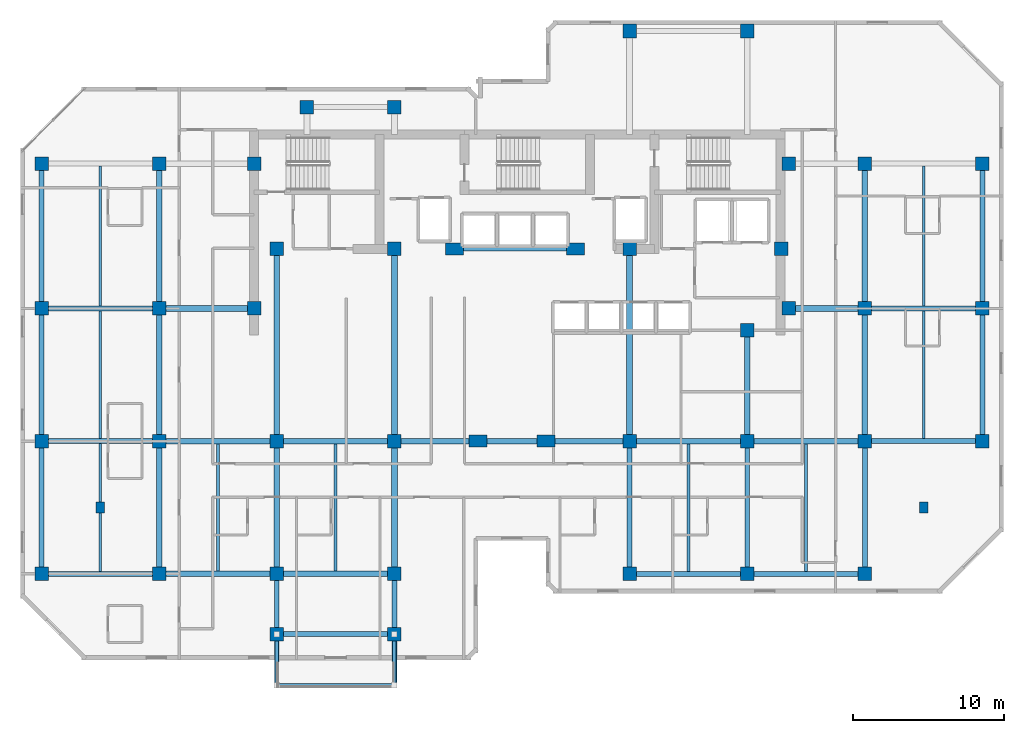
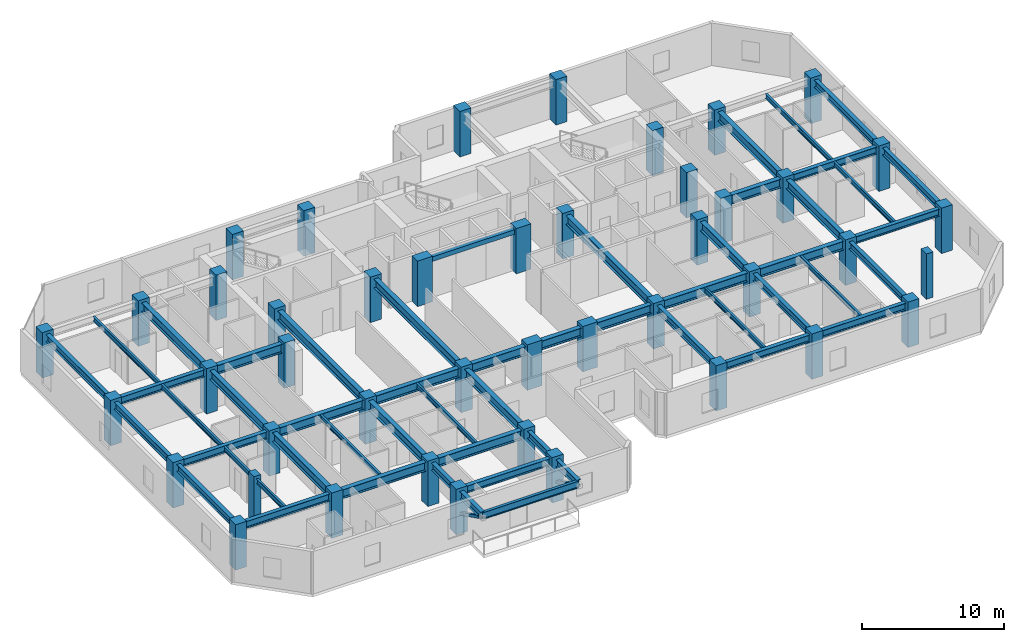
# One storey, part 1 of 11: 53 beams, 44 columns, 2 members.
"""IFC4 building model written with IfcOpenShell, lengths in metres."""

from ifc_helpers import new_model, si_unit, direction, frame, origin, origin_2d, place, context, subcontext, project, spatial, rectangle, hollow_rectangle, i_section, extrude, material, material_profile, profile_set, type_object, element, save


model = new_model("IFC4")

# Units and contexts
model_context = context("Model", 3, precision=1e-05, world=origin(), true_north=direction((0.0, 1.0)))
body_context = subcontext(model_context, "Body", "Model", "MODEL_VIEW")
ifc_project = project(units=[si_unit("LENGTHUNIT", "METRE"), si_unit("AREAUNIT", "SQUARE_METRE"), si_unit("VOLUMEUNIT", "CUBIC_METRE"), si_unit("PLANEANGLEUNIT", "RADIAN"), si_unit("MASSUNIT", "GRAM", prefix="KILO")], contexts=[model_context])

# Site, building, storey
site_placement = place(None, origin())
site = spatial("IfcSite", under=ifc_project, at=site_placement, CompositionType="ELEMENT")
building_placement = place(site_placement, origin())
building = spatial("IfcBuilding", under=site, at=building_placement, Name="Kestravale Grand Hotel", CompositionType="ELEMENT")
storey_placement = place(building_placement, frame((0.0, 0.0, 200.699951171875)))
storey = spatial("IfcBuildingStorey", under=building, at=storey_placement, Name="L50", CompositionType="ELEMENT", Elevation=200.699951171875)

# Columns
ifc_material_1 = material(Name="Concrete f'c 60 MPa", Category="concrete")
ifc_material_profile_1 = material_profile(ifc_material_1, rectangle(XDim=1.199951171875, YDim=0.800048828125, at=origin_2d()))
ifc_profile_set_1 = profile_set([ifc_material_profile_1], Name="Concrete f'c 60 MPa")
column_type_1 = type_object("IfcColumnType", Name="C-Z3-1200X800", PredefinedType="COLUMN", material=ifc_profile_set_1)
for number, where, z_axis, x_axis, name in (
    (1, (36.75, 20.0, 0.0), (0.0, 0.0, 1.0), (1.0, 0.0, 0.0), "L50 column 6-D"),
    (2, (41.25, 20.0, 0.0), (0.0, 0.0, 1.0), (1.0, 0.0, 0.0), "L50 column 7-D"),
    (3, (35.199951171875, 32.75, 0.0), (0.0, 0.0, 1.0), (1.0, 0.0, 0.0), "L50 column 6C-CS"),
    (4, (43.199951171875, 32.75, 0.0), (0.0, 0.0, 1.0), (1.0, 0.0, 0.0), "L50 column 7C-CS"),
):
    element("IfcColumn", number, at=place(storey_placement, frame(where, z_axis=z_axis, x_axis=x_axis)), inside=storey, type_object=column_type_1, Name=name, PredefinedType="COLUMN", context=body_context, shape_type="SweptSolid", body=[
        extrude(rectangle(XDim=1.199951171875, YDim=0.800048828125, at=origin_2d()), origin(), (0.0, 0.0, 1.0), 3.900146484375),
    ])
ifc_material_2 = material(Name="Precast concrete f'c 45 MPa", Category="concrete")
ifc_material_profile_2 = material_profile(ifc_material_2, rectangle(XDim=0.550048828125, YDim=0.75, at=origin_2d()))
ifc_profile_set_2 = profile_set([ifc_material_profile_2], Name="Precast concrete f'c 45 MPa")
column_type_2 = type_object("IfcColumnType", Name="C-Z3-PIL750", PredefinedType="PILASTER", material=ifc_profile_set_2)
for number, where, z_axis, x_axis, name in (
    (5, (11.699951171875, 15.60009765625, 0.0), (0.0, 0.0, 1.0), (1.0, 0.0, 0.0), "L50 Art Deco fluted pilaster P1"),
    (6, (66.300048828125, 15.60009765625, 0.0), (0.0, 0.0, 1.0), (1.0, 0.0, 0.0), "L50 Art Deco fluted pilaster P2"),
):
    element("IfcColumn", number, at=place(storey_placement, frame(where, z_axis=z_axis, x_axis=x_axis)), inside=storey, type_object=column_type_2, Name=name, PredefinedType="PILASTER", context=body_context, shape_type="SweptSolid", body=[
        extrude(rectangle(XDim=0.550048828125, YDim=0.75, at=origin_2d()), origin(), (0.0, 0.0, 1.0), 3.900146484375),
    ])
ifc_material_3 = material(Name="Concrete f'c 50 MPa", Category="concrete")
ifc_material_profile_3 = material_profile(ifc_material_3, rectangle(XDim=0.89990234375, YDim=0.89990234375, at=origin_2d()))
ifc_profile_set_3 = profile_set([ifc_material_profile_3], Name="Concrete f'c 50 MPa")
column_type_3 = type_object("IfcColumnType", Name="C-Z4-900", PredefinedType="COLUMN", material=ifc_profile_set_3)
for number, where, z_axis, x_axis, name in (
    (7, (7.800048828125, 11.199951171875, 0.0), (0.0, 0.0, 1.0), (1.0, 0.0, 0.0), "L50 column 2-C"),
    (8, (7.800048828125, 20.0, 0.0), (0.0, 0.0, 1.0), (1.0, 0.0, 0.0), "L50 column 2-D"),
    (9, (7.800048828125, 28.800048828125, 0.0), (0.0, 0.0, 1.0), (1.0, 0.0, 0.0), "L50 column 2-E"),
    (10, (7.800048828125, 38.39990234375, 0.0), (0.0, 0.0, 1.0), (1.0, 0.0, 0.0), "L50 column 2-F"),
    (11, (15.60009765625, 11.199951171875, 0.0), (0.0, 0.0, 1.0), (1.0, 0.0, 0.0), "L50 column 3-C"),
    (12, (15.60009765625, 20.0, 0.0), (0.0, 0.0, 1.0), (1.0, 0.0, 0.0), "L50 column 3-D"),
    (13, (15.60009765625, 28.800048828125, 0.0), (0.0, 0.0, 1.0), (1.0, 0.0, 0.0), "L50 column 3-E"),
    (14, (15.60009765625, 38.39990234375, 0.0), (0.0, 0.0, 1.0), (1.0, 0.0, 0.0), "L50 column 3-F"),
    (15, (23.39990234375, 11.199951171875, 0.0), (0.0, 0.0, 1.0), (1.0, 0.0, 0.0), "L50 column 4-C"),
    (16, (23.39990234375, 20.0, 0.0), (0.0, 0.0, 1.0), (1.0, 0.0, 0.0), "L50 column 4-D"),
    (17, (31.199951171875, 11.199951171875, 0.0), (0.0, 0.0, 1.0), (1.0, 0.0, 0.0), "L50 column 5-C"),
    (18, (31.199951171875, 20.0, 0.0), (0.0, 0.0, 1.0), (1.0, 0.0, 0.0), "L50 column 5-D"),
    (19, (46.800048828125, 11.199951171875, 0.0), (0.0, 0.0, 1.0), (1.0, 0.0, 0.0), "L50 column 8-C"),
    (20, (46.800048828125, 20.0, 0.0), (0.0, 0.0, 1.0), (1.0, 0.0, 0.0), "L50 column 8-D"),
    (21, (46.800048828125, 47.199951171875, 0.0), (0.0, 0.0, 1.0), (1.0, 0.0, 0.0), "L50 column 8-G"),
    (22, (54.60009765625, 11.199951171875, 0.0), (0.0, 0.0, 1.0), (1.0, 0.0, 0.0), "L50 column 9-C"),
    (23, (54.60009765625, 20.0, 0.0), (0.0, 0.0, 1.0), (1.0, 0.0, 0.0), "L50 column 9-D"),
    (24, (54.60009765625, 47.199951171875, 0.0), (0.0, 0.0, 1.0), (1.0, 0.0, 0.0), "L50 column 9-G"),
    (25, (62.39990234375, 11.199951171875, 0.0), (0.0, 0.0, 1.0), (1.0, 0.0, 0.0), "L50 column 10-C"),
    (26, (62.39990234375, 20.0, 0.0), (0.0, 0.0, 1.0), (1.0, 0.0, 0.0), "L50 column 10-D"),
    (27, (62.39990234375, 28.800048828125, 0.0), (0.0, 0.0, 1.0), (1.0, 0.0, 0.0), "L50 column 10-E"),
    (28, (62.39990234375, 38.39990234375, 0.0), (0.0, 0.0, 1.0), (1.0, 0.0, 0.0), "L50 column 10-F"),
    (29, (70.199951171875, 20.0, 0.0), (0.0, 0.0, 1.0), (1.0, 0.0, 0.0), "L50 column 11-D"),
    (30, (70.199951171875, 28.800048828125, 0.0), (0.0, 0.0, 1.0), (1.0, 0.0, 0.0), "L50 column 11-E"),
    (31, (70.199951171875, 38.39990234375, 0.0), (0.0, 0.0, 1.0), (1.0, 0.0, 0.0), "L50 column 11-F"),
    (32, (21.89990234375, 28.800048828125, 0.0), (0.0, 0.0, 1.0), (1.0, 0.0, 0.0), "L50 column CW-E"),
    (33, (21.89990234375, 38.39990234375, 0.0), (0.0, 0.0, 1.0), (1.0, 0.0, 0.0), "L50 column CW-F"),
    (34, (57.35009765625, 28.800048828125, 0.0), (0.0, 0.0, 1.0), (1.0, 0.0, 0.0), "L50 column CE-E"),
    (35, (57.35009765625, 38.39990234375, 0.0), (0.0, 0.0, 1.0), (1.0, 0.0, 0.0), "L50 column CE-F"),
    (36, (23.39990234375, 32.75, 0.0), (0.0, 0.0, 1.0), (1.0, 0.0, 0.0), "L50 column 4-CS"),
    (37, (31.199951171875, 32.75, 0.0), (0.0, 0.0, 1.0), (1.0, 0.0, 0.0), "L50 column 5-CS"),
    (38, (46.800048828125, 32.75, 0.0), (0.0, 0.0, 1.0), (1.0, 0.0, 0.0), "L50 column 8-CS"),
    (39, (54.60009765625, 27.35009765625, 0.0), (0.0, 0.0, 1.0), (1.0, 0.0, 0.0), "L50 column 9-CS"),
    (40, (56.85009765625, 32.75, 0.0), (0.0, 0.0, 1.0), (1.0, 0.0, 0.0), "L50 column 9C-CS"),
    (41, (23.39990234375, 7.199951171875, 0.0), (0.0, 0.0, 1.0), (1.0, 0.0, 0.0), "L50 column 4-BS"),
    (42, (31.199951171875, 7.199951171875, 0.0), (0.0, 0.0, 1.0), (1.0, 0.0, 0.0), "L50 column 5-BS"),
    (43, (25.39990234375, 42.14990234375, 0.0), (0.0, 0.0, 1.0), (1.0, 0.0, 0.0), "L50 column 4-FN"),
    (44, (31.199951171875, 42.14990234375, 0.0), (0.0, 0.0, 1.0), (1.0, 0.0, 0.0), "L50 column 5-FN"),
):
    element("IfcColumn", number, at=place(storey_placement, frame(where, z_axis=z_axis, x_axis=x_axis)), inside=storey, type_object=column_type_3, Name=name, PredefinedType="COLUMN", context=body_context, shape_type="SweptSolid", body=[
        extrude(rectangle(XDim=0.89990234375, YDim=0.89990234375, at=origin_2d()), origin(), (0.0, 0.0, 1.0), 3.900146484375),
    ])

# Beams
ifc_material_4 = material(Name="Steel ASTM A992 Grade 50", Category="steel")
ifc_material_profile_4 = material_profile(ifc_material_4, i_section(OverallWidth=0.177978515625, OverallDepth=0.404052734375, WebThickness=0.007568359375, FlangeThickness=0.010986328125, FilletRadius=0.01416015625, at=origin_2d()))
ifc_profile_set_4 = profile_set([ifc_material_profile_4], Name="Steel ASTM A992 Grade 50")
beam_type_1 = type_object("IfcBeamType", Name="B-FLR-JST16", PredefinedType="JOIST", material=ifc_profile_set_4)
for number, where, z_axis, x_axis, name in (
    (45, (11.699951171875, 11.362548828125, 3.447998046875), (0.0, 1.0, 0.0), (-1.0, 0.0, 0.0), "L50 floor joist 2-3/C-D #1"),
    (46, (11.699951171875, 20.16259765625, 3.447998046875), (0.0, 1.0, 0.0), (-1.0, 0.0, 0.0), "L50 floor joist 2-3/D-E #1"),
):
    element("IfcBeam", number, at=place(storey_placement, frame(where, z_axis=z_axis, x_axis=x_axis)), inside=storey, type_object=beam_type_1, Name=name, PredefinedType="JOIST", context=body_context, shape_type="SweptSolid", body=[
        extrude(i_section(OverallWidth=0.177978515625, OverallDepth=0.404052734375, WebThickness=0.007568359375, FlangeThickness=0.010986328125, FilletRadius=0.01416015625, at=origin_2d()), origin(), (0.0, 0.0, 1.0), 8.474853515625),
    ])
beam_1_placement = place(storey_placement, frame((11.699951171875, 28.96240234375, 3.447998046875), z_axis=(0.0, 1.0, 0.0), x_axis=(-1.0, 0.0, 0.0)))
element("IfcBeam", 47, at=beam_1_placement, inside=storey, type_object=beam_type_1, Name="L50 floor joist 2-3/E-F #1", PredefinedType="JOIST", context=body_context, shape_type="SweptSolid", body=[
    extrude(i_section(OverallWidth=0.177978515625, OverallDepth=0.404052734375, WebThickness=0.007568359375, FlangeThickness=0.010986328125, FilletRadius=0.01416015625, at=origin_2d()), origin(), (0.0, 0.0, 1.0), 9.275146484375),
])
for number, where, z_axis, x_axis, name in (
    (48, (19.5, 11.390380859375, 3.447998046875), (0.0, 1.0, 0.0), (-1.0, 0.0, 0.0), "L50 floor joist 3-4/C-D #1"),
    (49, (27.300048828125, 11.390380859375, 3.447998046875), (0.0, 1.0, 0.0), (-1.0, 0.0, 0.0), "L50 floor joist 4-5/C-D #1"),
):
    element("IfcBeam", number, at=place(storey_placement, frame(where, z_axis=z_axis, x_axis=x_axis)), inside=storey, type_object=beam_type_1, Name=name, PredefinedType="JOIST", context=body_context, shape_type="SweptSolid", body=[
        extrude(i_section(OverallWidth=0.177978515625, OverallDepth=0.404052734375, WebThickness=0.007568359375, FlangeThickness=0.010986328125, FilletRadius=0.01416015625, at=origin_2d()), origin(), (0.0, 0.0, 1.0), 8.419189453125),
    ])
for number, where, z_axis, x_axis, name in (
    (50, (50.699951171875, 11.362548828125, 3.447998046875), (0.0, 1.0, 0.0), (-1.0, 0.0, 0.0), "L50 floor joist 8-9/C-D #1"),
    (51, (58.5, 11.362548828125, 3.447998046875), (0.0, 1.0, 0.0), (-1.0, 0.0, 0.0), "L50 floor joist 9-10/C-D #1"),
):
    element("IfcBeam", number, at=place(storey_placement, frame(where, z_axis=z_axis, x_axis=x_axis)), inside=storey, type_object=beam_type_1, Name=name, PredefinedType="JOIST", context=body_context, shape_type="SweptSolid", body=[
        extrude(i_section(OverallWidth=0.177978515625, OverallDepth=0.404052734375, WebThickness=0.007568359375, FlangeThickness=0.010986328125, FilletRadius=0.01416015625, at=origin_2d()), origin(), (0.0, 0.0, 1.0), 8.447021484375),
    ])
beam_2_placement = place(storey_placement, frame((66.300048828125, 20.16259765625, 3.447998046875), z_axis=(0.0, 1.0, 0.0), x_axis=(-1.0, 0.0, 0.0)))
element("IfcBeam", 52, at=beam_2_placement, inside=storey, type_object=beam_type_1, Name="L50 floor joist 10-11/D-E #1", PredefinedType="JOIST", context=body_context, shape_type="SweptSolid", body=[
    extrude(i_section(OverallWidth=0.177978515625, OverallDepth=0.404052734375, WebThickness=0.007568359375, FlangeThickness=0.010986328125, FilletRadius=0.01416015625, at=origin_2d()), origin(), (0.0, 0.0, 1.0), 8.474853515625),
])
beam_3_placement = place(storey_placement, frame((66.300048828125, 28.96240234375, 3.447998046875), z_axis=(0.0, 1.0, 0.0), x_axis=(-1.0, 0.0, 0.0)))
element("IfcBeam", 53, at=beam_3_placement, inside=storey, type_object=beam_type_1, Name="L50 floor joist 10-11/E-F #1", PredefinedType="JOIST", context=body_context, shape_type="SweptSolid", body=[
    extrude(i_section(OverallWidth=0.177978515625, OverallDepth=0.404052734375, WebThickness=0.007568359375, FlangeThickness=0.010986328125, FilletRadius=0.01416015625, at=origin_2d()), origin(), (0.0, 0.0, 1.0), 9.275146484375),
])
ifc_material_5 = material(Name="Concrete f'c 45 MPa", Category="concrete")
ifc_material_profile_5 = material_profile(ifc_material_5, rectangle(XDim=0.300048828125, YDim=0.39990234375, at=origin_2d()))
ifc_profile_set_5 = profile_set([ifc_material_profile_5], Name="Concrete f'c 45 MPa")
beam_type_2 = type_object("IfcBeamType", Name="B-FLR-LNT400", PredefinedType="LINTEL", material=ifc_profile_set_5)
beam_4_placement = place(storey_placement, frame((35.199951171875, 32.75, 3.449951171875), z_axis=(1.0, 0.0, 0.0), x_axis=(0.0, 1.0, 0.0)))
element("IfcBeam", 54, at=beam_4_placement, inside=storey, type_object=beam_type_2, Name="L50 core portal header lintel", PredefinedType="LINTEL", context=body_context, shape_type="SweptSolid", body=[
    extrude(rectangle(XDim=0.300048828125, YDim=0.39990234375, at=origin_2d()), origin(), (0.0, 0.0, 1.0), 8.0),
])
ifc_material_6 = material(Name="Steel ASTM A992 Grade 50", Category="steel")
ifc_material_profile_6 = material_profile(ifc_material_6, i_section(OverallWidth=0.324951171875, OverallDepth=0.612060546875, WebThickness=0.0126953125, FlangeThickness=0.01904296875, FilletRadius=0.018798828125, at=origin_2d()))
ifc_profile_set_6 = profile_set([ifc_material_profile_6], Name="Steel ASTM A992 Grade 50")
beam_type_3 = type_object("IfcBeamType", Name="B-FLR-W24A", PredefinedType="SPANDREL", material=ifc_profile_set_6)
for number, where, z_axis, x_axis, name in (
    (55, (7.800048828125, 11.199951171875, 3.343994140625), (1.0, 0.0, 0.0), (0.0, 1.0, 0.0), "L50 spandrel C:2-3"),
    (56, (46.800048828125, 11.199951171875, 3.343994140625), (1.0, 0.0, 0.0), (0.0, 1.0, 0.0), "L50 spandrel C:8-9"),
):
    element("IfcBeam", number, at=place(storey_placement, frame(where, z_axis=z_axis, x_axis=x_axis)), inside=storey, type_object=beam_type_3, Name=name, PredefinedType="SPANDREL", context=body_context, shape_type="SweptSolid", body=[
        extrude(i_section(OverallWidth=0.324951171875, OverallDepth=0.612060546875, WebThickness=0.0126953125, FlangeThickness=0.01904296875, FilletRadius=0.018798828125, at=origin_2d()), origin(), (0.0, 0.0, 1.0), 7.800048828125),
    ])
beam_5_placement = place(storey_placement, frame((54.60009765625, 11.199951171875, 3.343994140625), z_axis=(1.0, 0.0, 0.0), x_axis=(0.0, 1.0, 0.0)))
element("IfcBeam", 57, at=beam_5_placement, inside=storey, type_object=beam_type_3, Name="L50 spandrel C:9-10", PredefinedType="SPANDREL", context=body_context, shape_type="SweptSolid", body=[
    extrude(i_section(OverallWidth=0.324951171875, OverallDepth=0.612060546875, WebThickness=0.0126953125, FlangeThickness=0.01904296875, FilletRadius=0.018798828125, at=origin_2d()), origin(), (0.0, 0.0, 1.0), 7.7998046875),
])
for number, where, z_axis, x_axis, name in (
    (58, (7.800048828125, 20.0, 3.343994140625), (1.0, 0.0, 0.0), (0.0, 1.0, 0.0), "L50 spandrel D:2-3"),
    (59, (62.39990234375, 20.0, 3.343994140625), (1.0, 0.0, 0.0), (0.0, 1.0, 0.0), "L50 spandrel D:10-11"),
    (60, (7.800048828125, 28.800048828125, 3.343994140625), (1.0, 0.0, 0.0), (0.0, 1.0, 0.0), "L50 spandrel E:2-3"),
    (61, (62.39990234375, 28.800048828125, 3.343994140625), (1.0, 0.0, 0.0), (0.0, 1.0, 0.0), "L50 spandrel E:10-11"),
    (62, (23.39990234375, 7.199951171875, 3.343994140625), (1.0, 0.0, 0.0), (0.0, 1.0, 0.0), "L50 perimeter tie spandrel BS:4-5"),
):
    element("IfcBeam", number, at=place(storey_placement, frame(where, z_axis=z_axis, x_axis=x_axis)), inside=storey, type_object=beam_type_3, Name=name, PredefinedType="SPANDREL", context=body_context, shape_type="SweptSolid", body=[
        extrude(i_section(OverallWidth=0.324951171875, OverallDepth=0.612060546875, WebThickness=0.0126953125, FlangeThickness=0.01904296875, FilletRadius=0.018798828125, at=origin_2d()), origin(), (0.0, 0.0, 1.0), 7.800048828125),
    ])
for number, where, z_axis, x_axis, name in (
    (63, (7.800048828125, 11.199951171875, 3.343994140625), (0.0, 1.0, 0.0), (-1.0, 0.0, 0.0), "L50 spandrel 2:C-D"),
    (64, (7.800048828125, 20.0, 3.343994140625), (0.0, 1.0, 0.0), (-1.0, 0.0, 0.0), "L50 spandrel 2:D-E"),
):
    element("IfcBeam", number, at=place(storey_placement, frame(where, z_axis=z_axis, x_axis=x_axis)), inside=storey, type_object=beam_type_3, Name=name, PredefinedType="SPANDREL", context=body_context, shape_type="SweptSolid", body=[
        extrude(i_section(OverallWidth=0.324951171875, OverallDepth=0.612060546875, WebThickness=0.0126953125, FlangeThickness=0.01904296875, FilletRadius=0.018798828125, at=origin_2d()), origin(), (0.0, 0.0, 1.0), 8.800048828125),
    ])
beam_6_placement = place(storey_placement, frame((7.800048828125, 28.800048828125, 3.343994140625), z_axis=(0.0, 1.0, 0.0), x_axis=(-1.0, 0.0, 0.0)))
element("IfcBeam", 65, at=beam_6_placement, inside=storey, type_object=beam_type_3, Name="L50 spandrel 2:E-F", PredefinedType="SPANDREL", context=body_context, shape_type="SweptSolid", body=[
    extrude(i_section(OverallWidth=0.324951171875, OverallDepth=0.612060546875, WebThickness=0.0126953125, FlangeThickness=0.01904296875, FilletRadius=0.018798828125, at=origin_2d()), origin(), (0.0, 0.0, 1.0), 9.599853515625),
])
for number, where, z_axis, x_axis, name in (
    (66, (23.39990234375, 7.199951171875, 3.343994140625), (0.0, 1.0, 0.0), (-1.0, 0.0, 0.0), "L50 spandrel 4:BS-C"),
    (67, (31.199951171875, 7.199951171875, 3.343994140625), (0.0, 1.0, 0.0), (-1.0, 0.0, 0.0), "L50 spandrel 5:BS-C"),
):
    element("IfcBeam", number, at=place(storey_placement, frame(where, z_axis=z_axis, x_axis=x_axis)), inside=storey, type_object=beam_type_3, Name=name, PredefinedType="SPANDREL", context=body_context, shape_type="SweptSolid", body=[
        extrude(i_section(OverallWidth=0.324951171875, OverallDepth=0.612060546875, WebThickness=0.0126953125, FlangeThickness=0.01904296875, FilletRadius=0.018798828125, at=origin_2d()), origin(), (0.0, 0.0, 1.0), 4.0),
    ])
for number, where, z_axis, x_axis, name in (
    (68, (46.800048828125, 11.199951171875, 3.343994140625), (0.0, 1.0, 0.0), (-1.0, 0.0, 0.0), "L50 spandrel 8:C-D"),
    (69, (54.60009765625, 11.199951171875, 3.343994140625), (0.0, 1.0, 0.0), (-1.0, 0.0, 0.0), "L50 spandrel 9:C-D"),
    (70, (62.39990234375, 11.199951171875, 3.343994140625), (0.0, 1.0, 0.0), (-1.0, 0.0, 0.0), "L50 spandrel 10:C-D"),
    (71, (70.199951171875, 20.0, 3.343994140625), (0.0, 1.0, 0.0), (-1.0, 0.0, 0.0), "L50 spandrel 11:D-E"),
):
    element("IfcBeam", number, at=place(storey_placement, frame(where, z_axis=z_axis, x_axis=x_axis)), inside=storey, type_object=beam_type_3, Name=name, PredefinedType="SPANDREL", context=body_context, shape_type="SweptSolid", body=[
        extrude(i_section(OverallWidth=0.324951171875, OverallDepth=0.612060546875, WebThickness=0.0126953125, FlangeThickness=0.01904296875, FilletRadius=0.018798828125, at=origin_2d()), origin(), (0.0, 0.0, 1.0), 8.800048828125),
    ])
beam_7_placement = place(storey_placement, frame((70.199951171875, 28.800048828125, 3.343994140625), z_axis=(0.0, 1.0, 0.0), x_axis=(-1.0, 0.0, 0.0)))
element("IfcBeam", 72, at=beam_7_placement, inside=storey, type_object=beam_type_3, Name="L50 spandrel 11:E-F", PredefinedType="SPANDREL", context=body_context, shape_type="SweptSolid", body=[
    extrude(i_section(OverallWidth=0.324951171875, OverallDepth=0.612060546875, WebThickness=0.0126953125, FlangeThickness=0.01904296875, FilletRadius=0.018798828125, at=origin_2d()), origin(), (0.0, 0.0, 1.0), 9.599853515625),
])
for number, where, z_axis, x_axis, name in (
    (73, (23.39990234375, 7.199951171875, 3.323974609375), (0.0, -1.0, 0.0), (1.0, 0.0, 0.0), "L51 terrace cantilever beam 1"),
    (74, (31.199951171875, 7.199951171875, 3.323974609375), (0.0, -1.0, 0.0), (1.0, 0.0, 0.0), "L51 terrace cantilever beam 2"),
):
    element("IfcBeam", number, at=place(storey_placement, frame(where, z_axis=z_axis, x_axis=x_axis)), inside=storey, type_object=beam_type_3, Name=name, PredefinedType="SPANDREL", context=body_context, shape_type="SweptSolid", body=[
        extrude(i_section(OverallWidth=0.324951171875, OverallDepth=0.612060546875, WebThickness=0.0126953125, FlangeThickness=0.01904296875, FilletRadius=0.018798828125, at=origin_2d()), origin(), (0.0, 0.0, 1.0), 3.39990234375),
    ])
ifc_material_7 = material(Name="Steel ASTM A992 Grade 50", Category="steel")
ifc_material_profile_7 = material_profile(ifc_material_7, i_section(OverallWidth=0.22900390625, OverallDepth=0.612060546875, WebThickness=0.011962890625, FlangeThickness=0.01953125, FilletRadius=0.019287109375, at=origin_2d()))
ifc_profile_set_7 = profile_set([ifc_material_profile_7], Name="Steel ASTM A992 Grade 50")
beam_type_4 = type_object("IfcBeamType", Name="B-FLR-W24B", PredefinedType="SPANDREL", material=ifc_profile_set_7)
beam_8_placement = place(storey_placement, frame((23.39990234375, 3.800048828125, 3.323974609375), z_axis=(1.0, 0.0, 0.0), x_axis=(0.0, 1.0, 0.0)))
element("IfcBeam", 75, at=beam_8_placement, inside=storey, type_object=beam_type_4, Name="L51 terrace edge spandrel", PredefinedType="SPANDREL", context=body_context, shape_type="SweptSolid", body=[
    extrude(i_section(OverallWidth=0.22900390625, OverallDepth=0.612060546875, WebThickness=0.011962890625, FlangeThickness=0.01953125, FilletRadius=0.019287109375, at=origin_2d()), origin(), (0.0, 0.0, 1.0), 7.800048828125),
])
ifc_material_8 = material(Name="Steel ASTM A992 Grade 50", Category="steel")
ifc_material_profile_8 = material_profile(ifc_material_8, i_section(OverallWidth=0.381103515625, OverallDepth=0.77197265625, WebThickness=0.0166015625, FlangeThickness=0.027099609375, FilletRadius=0.023681640625, at=origin_2d()))
ifc_profile_set_8 = profile_set([ifc_material_profile_8], Name="Steel ASTM A992 Grade 50")
beam_type_5 = type_object("IfcBeamType", Name="B-GRD-W30", PredefinedType="BEAM", material=ifc_profile_set_8)
beam_9_placement = place(storey_placement, frame((15.60009765625, 11.199951171875, 3.26416015625), z_axis=(1.0, 0.0, 0.0), x_axis=(0.0, 1.0, 0.0)))
element("IfcBeam", 76, at=beam_9_placement, inside=storey, type_object=beam_type_5, Name="L50 girder C:3-4", PredefinedType="BEAM", context=body_context, shape_type="SweptSolid", body=[
    extrude(i_section(OverallWidth=0.381103515625, OverallDepth=0.77197265625, WebThickness=0.0166015625, FlangeThickness=0.027099609375, FilletRadius=0.023681640625, at=origin_2d()), origin(), (0.0, 0.0, 1.0), 7.7998046875),
])
beam_10_placement = place(storey_placement, frame((23.39990234375, 11.199951171875, 3.26416015625), z_axis=(1.0, 0.0, 0.0), x_axis=(0.0, 1.0, 0.0)))
element("IfcBeam", 77, at=beam_10_placement, inside=storey, type_object=beam_type_5, Name="L50 girder C:4-5", PredefinedType="BEAM", context=body_context, shape_type="SweptSolid", body=[
    extrude(i_section(OverallWidth=0.381103515625, OverallDepth=0.77197265625, WebThickness=0.0166015625, FlangeThickness=0.027099609375, FilletRadius=0.023681640625, at=origin_2d()), origin(), (0.0, 0.0, 1.0), 7.800048828125),
])
beam_11_placement = place(storey_placement, frame((15.60009765625, 20.0, 3.26416015625), z_axis=(1.0, 0.0, 0.0), x_axis=(0.0, 1.0, 0.0)))
element("IfcBeam", 78, at=beam_11_placement, inside=storey, type_object=beam_type_5, Name="L50 girder D:3-4", PredefinedType="BEAM", context=body_context, shape_type="SweptSolid", body=[
    extrude(i_section(OverallWidth=0.381103515625, OverallDepth=0.77197265625, WebThickness=0.0166015625, FlangeThickness=0.027099609375, FilletRadius=0.023681640625, at=origin_2d()), origin(), (0.0, 0.0, 1.0), 7.7998046875),
])
beam_12_placement = place(storey_placement, frame((23.39990234375, 20.0, 3.26416015625), z_axis=(1.0, 0.0, 0.0), x_axis=(0.0, 1.0, 0.0)))
element("IfcBeam", 79, at=beam_12_placement, inside=storey, type_object=beam_type_5, Name="L50 girder D:4-5", PredefinedType="BEAM", context=body_context, shape_type="SweptSolid", body=[
    extrude(i_section(OverallWidth=0.381103515625, OverallDepth=0.77197265625, WebThickness=0.0166015625, FlangeThickness=0.027099609375, FilletRadius=0.023681640625, at=origin_2d()), origin(), (0.0, 0.0, 1.0), 7.800048828125),
])
beam_13_placement = place(storey_placement, frame((31.199951171875, 20.0, 3.26416015625), z_axis=(1.0, 0.0, 0.0), x_axis=(0.0, 1.0, 0.0)))
element("IfcBeam", 80, at=beam_13_placement, inside=storey, type_object=beam_type_5, Name="L50 girder D:5-6", PredefinedType="BEAM", context=body_context, shape_type="SweptSolid", body=[
    extrude(i_section(OverallWidth=0.381103515625, OverallDepth=0.77197265625, WebThickness=0.0166015625, FlangeThickness=0.027099609375, FilletRadius=0.023681640625, at=origin_2d()), origin(), (0.0, 0.0, 1.0), 5.550048828125),
])
beam_14_placement = place(storey_placement, frame((36.75, 20.0, 3.26416015625), z_axis=(1.0, 0.0, 0.0), x_axis=(0.0, 1.0, 0.0)))
element("IfcBeam", 81, at=beam_14_placement, inside=storey, type_object=beam_type_5, Name="L50 girder D:6-7", PredefinedType="BEAM", context=body_context, shape_type="SweptSolid", body=[
    extrude(i_section(OverallWidth=0.381103515625, OverallDepth=0.77197265625, WebThickness=0.0166015625, FlangeThickness=0.027099609375, FilletRadius=0.023681640625, at=origin_2d()), origin(), (0.0, 0.0, 1.0), 4.5),
])
beam_15_placement = place(storey_placement, frame((41.25, 20.0, 3.26416015625), z_axis=(1.0, 0.0, 0.0), x_axis=(0.0, 1.0, 0.0)))
element("IfcBeam", 82, at=beam_15_placement, inside=storey, type_object=beam_type_5, Name="L50 girder D:7-8", PredefinedType="BEAM", context=body_context, shape_type="SweptSolid", body=[
    extrude(i_section(OverallWidth=0.381103515625, OverallDepth=0.77197265625, WebThickness=0.0166015625, FlangeThickness=0.027099609375, FilletRadius=0.023681640625, at=origin_2d()), origin(), (0.0, 0.0, 1.0), 5.550048828125),
])
beam_16_placement = place(storey_placement, frame((46.800048828125, 20.0, 3.26416015625), z_axis=(1.0, 0.0, 0.0), x_axis=(0.0, 1.0, 0.0)))
element("IfcBeam", 83, at=beam_16_placement, inside=storey, type_object=beam_type_5, Name="L50 girder D:8-9", PredefinedType="BEAM", context=body_context, shape_type="SweptSolid", body=[
    extrude(i_section(OverallWidth=0.381103515625, OverallDepth=0.77197265625, WebThickness=0.0166015625, FlangeThickness=0.027099609375, FilletRadius=0.023681640625, at=origin_2d()), origin(), (0.0, 0.0, 1.0), 7.800048828125),
])
beam_17_placement = place(storey_placement, frame((54.60009765625, 20.0, 3.26416015625), z_axis=(1.0, 0.0, 0.0), x_axis=(0.0, 1.0, 0.0)))
element("IfcBeam", 84, at=beam_17_placement, inside=storey, type_object=beam_type_5, Name="L50 girder D:9-10", PredefinedType="BEAM", context=body_context, shape_type="SweptSolid", body=[
    extrude(i_section(OverallWidth=0.381103515625, OverallDepth=0.77197265625, WebThickness=0.0166015625, FlangeThickness=0.027099609375, FilletRadius=0.023681640625, at=origin_2d()), origin(), (0.0, 0.0, 1.0), 7.7998046875),
])
beam_18_placement = place(storey_placement, frame((15.60009765625, 28.800048828125, 3.26416015625), z_axis=(1.0, 0.0, 0.0), x_axis=(0.0, 1.0, 0.0)))
element("IfcBeam", 85, at=beam_18_placement, inside=storey, type_object=beam_type_5, Name="L50 girder E:3-CW", PredefinedType="BEAM", context=body_context, shape_type="SweptSolid", body=[
    extrude(i_section(OverallWidth=0.381103515625, OverallDepth=0.77197265625, WebThickness=0.0166015625, FlangeThickness=0.027099609375, FilletRadius=0.023681640625, at=origin_2d()), origin(), (0.0, 0.0, 1.0), 6.2998046875),
])
beam_19_placement = place(storey_placement, frame((57.35009765625, 28.800048828125, 3.26416015625), z_axis=(1.0, 0.0, 0.0), x_axis=(0.0, 1.0, 0.0)))
element("IfcBeam", 86, at=beam_19_placement, inside=storey, type_object=beam_type_5, Name="L50 girder E:CE-10", PredefinedType="BEAM", context=body_context, shape_type="SweptSolid", body=[
    extrude(i_section(OverallWidth=0.381103515625, OverallDepth=0.77197265625, WebThickness=0.0166015625, FlangeThickness=0.027099609375, FilletRadius=0.023681640625, at=origin_2d()), origin(), (0.0, 0.0, 1.0), 5.0498046875),
])
for number, where, z_axis, x_axis, name in (
    (87, (15.60009765625, 11.199951171875, 3.26416015625), (0.0, 1.0, 0.0), (-1.0, 0.0, 0.0), "L50 girder 3:C-D"),
    (88, (15.60009765625, 20.0, 3.26416015625), (0.0, 1.0, 0.0), (-1.0, 0.0, 0.0), "L50 girder 3:D-E"),
):
    element("IfcBeam", number, at=place(storey_placement, frame(where, z_axis=z_axis, x_axis=x_axis)), inside=storey, type_object=beam_type_5, Name=name, PredefinedType="BEAM", context=body_context, shape_type="SweptSolid", body=[
        extrude(i_section(OverallWidth=0.381103515625, OverallDepth=0.77197265625, WebThickness=0.0166015625, FlangeThickness=0.027099609375, FilletRadius=0.023681640625, at=origin_2d()), origin(), (0.0, 0.0, 1.0), 8.800048828125),
    ])
beam_20_placement = place(storey_placement, frame((15.60009765625, 28.800048828125, 3.26416015625), z_axis=(0.0, 1.0, 0.0), x_axis=(-1.0, 0.0, 0.0)))
element("IfcBeam", 89, at=beam_20_placement, inside=storey, type_object=beam_type_5, Name="L50 girder 3:E-F", PredefinedType="BEAM", context=body_context, shape_type="SweptSolid", body=[
    extrude(i_section(OverallWidth=0.381103515625, OverallDepth=0.77197265625, WebThickness=0.0166015625, FlangeThickness=0.027099609375, FilletRadius=0.023681640625, at=origin_2d()), origin(), (0.0, 0.0, 1.0), 9.599853515625),
])
beam_21_placement = place(storey_placement, frame((23.39990234375, 11.199951171875, 3.26416015625), z_axis=(0.0, 1.0, 0.0), x_axis=(-1.0, 0.0, 0.0)))
element("IfcBeam", 90, at=beam_21_placement, inside=storey, type_object=beam_type_5, Name="L50 girder 4:C-D", PredefinedType="BEAM", context=body_context, shape_type="SweptSolid", body=[
    extrude(i_section(OverallWidth=0.381103515625, OverallDepth=0.77197265625, WebThickness=0.0166015625, FlangeThickness=0.027099609375, FilletRadius=0.023681640625, at=origin_2d()), origin(), (0.0, 0.0, 1.0), 8.800048828125),
])
beam_22_placement = place(storey_placement, frame((23.39990234375, 20.0, 3.26416015625), z_axis=(0.0, 1.0, 0.0), x_axis=(-1.0, 0.0, 0.0)))
element("IfcBeam", 91, at=beam_22_placement, inside=storey, type_object=beam_type_5, Name="L50 girder 4:D-CS", PredefinedType="BEAM", context=body_context, shape_type="SweptSolid", body=[
    extrude(i_section(OverallWidth=0.381103515625, OverallDepth=0.77197265625, WebThickness=0.0166015625, FlangeThickness=0.027099609375, FilletRadius=0.023681640625, at=origin_2d()), origin(), (0.0, 0.0, 1.0), 12.75),
])
beam_23_placement = place(storey_placement, frame((31.199951171875, 11.199951171875, 3.26416015625), z_axis=(0.0, 1.0, 0.0), x_axis=(-1.0, 0.0, 0.0)))
element("IfcBeam", 92, at=beam_23_placement, inside=storey, type_object=beam_type_5, Name="L50 girder 5:C-D", PredefinedType="BEAM", context=body_context, shape_type="SweptSolid", body=[
    extrude(i_section(OverallWidth=0.381103515625, OverallDepth=0.77197265625, WebThickness=0.0166015625, FlangeThickness=0.027099609375, FilletRadius=0.023681640625, at=origin_2d()), origin(), (0.0, 0.0, 1.0), 8.800048828125),
])
for number, where, z_axis, x_axis, name in (
    (93, (31.199951171875, 20.0, 3.26416015625), (0.0, 1.0, 0.0), (-1.0, 0.0, 0.0), "L50 girder 5:D-CS"),
    (94, (46.800048828125, 20.0, 3.26416015625), (0.0, 1.0, 0.0), (-1.0, 0.0, 0.0), "L50 girder 8:D-CS"),
):
    element("IfcBeam", number, at=place(storey_placement, frame(where, z_axis=z_axis, x_axis=x_axis)), inside=storey, type_object=beam_type_5, Name=name, PredefinedType="BEAM", context=body_context, shape_type="SweptSolid", body=[
        extrude(i_section(OverallWidth=0.381103515625, OverallDepth=0.77197265625, WebThickness=0.0166015625, FlangeThickness=0.027099609375, FilletRadius=0.023681640625, at=origin_2d()), origin(), (0.0, 0.0, 1.0), 12.75),
    ])
beam_24_placement = place(storey_placement, frame((54.60009765625, 20.0, 3.26416015625), z_axis=(0.0, 1.0, 0.0), x_axis=(-1.0, 0.0, 0.0)))
element("IfcBeam", 95, at=beam_24_placement, inside=storey, type_object=beam_type_5, Name="L50 girder 9:D-CS", PredefinedType="BEAM", context=body_context, shape_type="SweptSolid", body=[
    extrude(i_section(OverallWidth=0.381103515625, OverallDepth=0.77197265625, WebThickness=0.0166015625, FlangeThickness=0.027099609375, FilletRadius=0.023681640625, at=origin_2d()), origin(), (0.0, 0.0, 1.0), 7.35009765625),
])
beam_25_placement = place(storey_placement, frame((62.39990234375, 20.0, 3.26416015625), z_axis=(0.0, 1.0, 0.0), x_axis=(-1.0, 0.0, 0.0)))
element("IfcBeam", 96, at=beam_25_placement, inside=storey, type_object=beam_type_5, Name="L50 girder 10:D-E", PredefinedType="BEAM", context=body_context, shape_type="SweptSolid", body=[
    extrude(i_section(OverallWidth=0.381103515625, OverallDepth=0.77197265625, WebThickness=0.0166015625, FlangeThickness=0.027099609375, FilletRadius=0.023681640625, at=origin_2d()), origin(), (0.0, 0.0, 1.0), 8.800048828125),
])
beam_26_placement = place(storey_placement, frame((62.39990234375, 28.800048828125, 3.26416015625), z_axis=(0.0, 1.0, 0.0), x_axis=(-1.0, 0.0, 0.0)))
element("IfcBeam", 97, at=beam_26_placement, inside=storey, type_object=beam_type_5, Name="L50 girder 10:E-F", PredefinedType="BEAM", context=body_context, shape_type="SweptSolid", body=[
    extrude(i_section(OverallWidth=0.381103515625, OverallDepth=0.77197265625, WebThickness=0.0166015625, FlangeThickness=0.027099609375, FilletRadius=0.023681640625, at=origin_2d()), origin(), (0.0, 0.0, 1.0), 9.599853515625),
])

# Members
ifc_material_9 = material(Name="Steel ASTM A500 Grade C", Category="steel")
ifc_material_profile_9 = material_profile(ifc_material_9, hollow_rectangle(XDim=0.25, YDim=0.25, WallThickness=0.011962890625, InnerFilletRadius=0.011962890625, OuterFilletRadius=0.02392578125, at=origin_2d()))
ifc_profile_set_9 = profile_set([ifc_material_profile_9], Name="Steel ASTM A500 Grade C")
member_type = type_object("IfcMemberType", Name="M-BLT-STR250", PredefinedType="STRUT", material=ifc_profile_set_9)
for number, where, z_axis, x_axis, name in (
    (98, (23.39990234375, 7.199951171875, 1.47412109375), (0.0, -0.894427191, 0.4472135955), (1.0, 0.0, 0.0), "L51 terrace knee-brace strut 1"),
    (99, (31.199951171875, 7.199951171875, 1.47412109375), (0.0, -0.894427191, 0.4472135955), (1.0, 0.0, 0.0), "L51 terrace knee-brace strut 2"),
):
    element("IfcMember", number, at=place(storey_placement, frame(where, z_axis=z_axis, x_axis=x_axis)), inside=storey, type_object=member_type, Name=name, PredefinedType="STRUT", context=body_context, shape_type="SweptSolid", body=[
        extrude(hollow_rectangle(XDim=0.25, YDim=0.25, WallThickness=0.011962890625, InnerFilletRadius=0.011962890625, OuterFilletRadius=0.02392578125, at=origin_2d()), origin(), (0.0, 0.0, 1.0), 3.80126953125),
    ])

save(model, "model.ifc")
